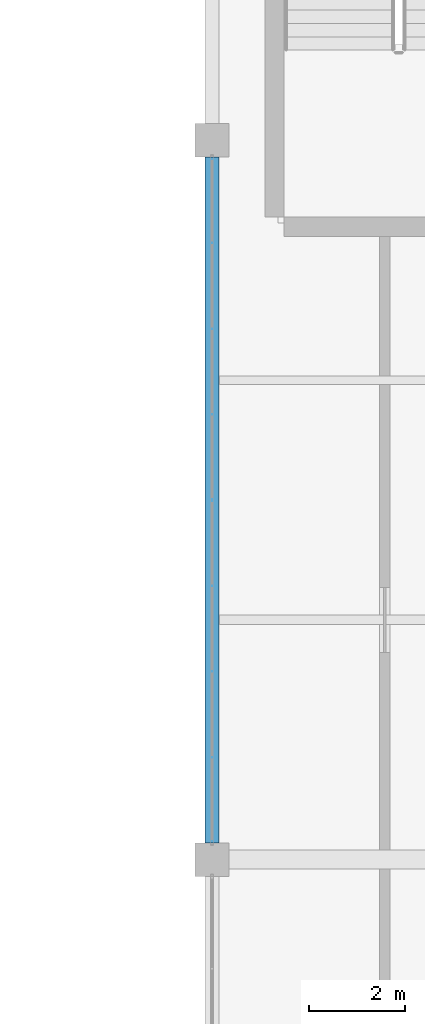
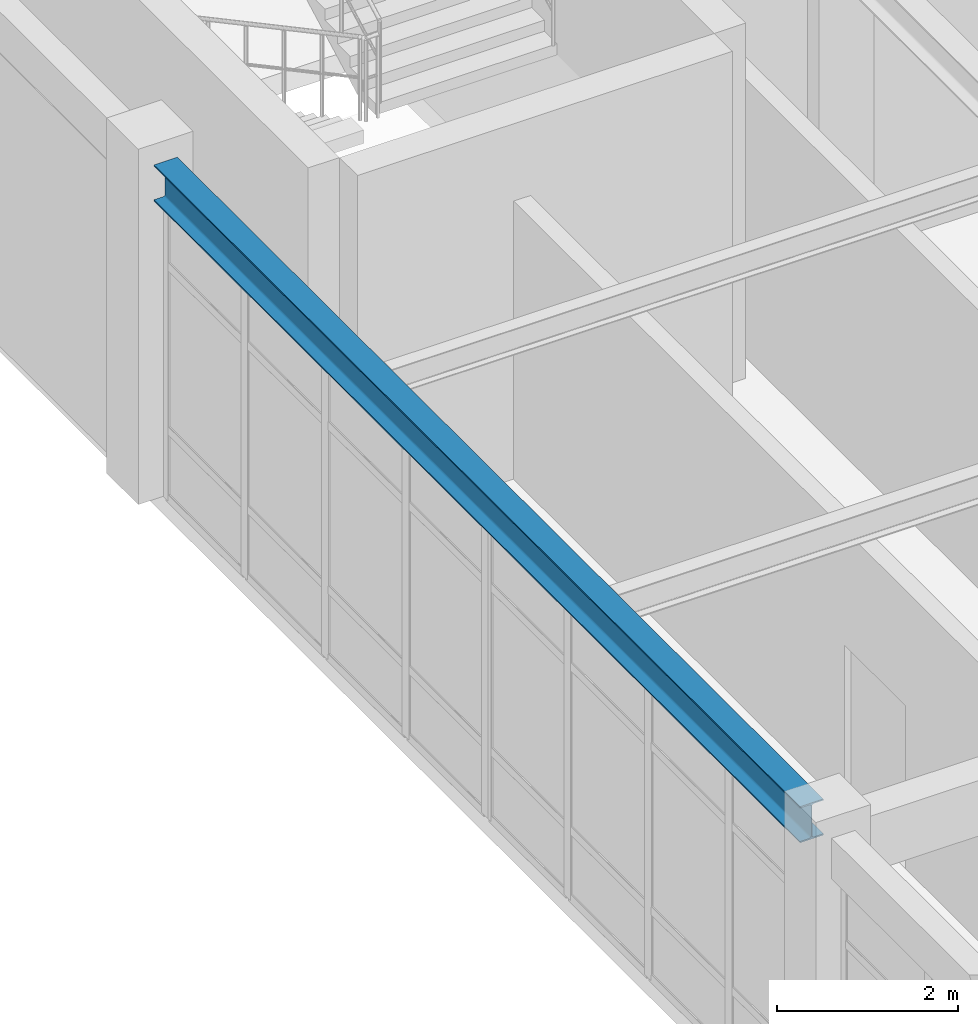
# One storey, part 16 of 76: 1 beam.
"""IFC4 building model written with IfcOpenShell, lengths in metres."""

import ifcopenshell
import ifcopenshell.guid

model = None  # the IFC model being written
_history = None  # IfcOwnerHistory: only IFC2X3 demands one
_inside = {}  # id of a spatial element -> (the spatial element, [elements in it])
_under = {}  # id of a project, library or spatial element -> (it, [spatial elements below it])
_declared = {}  # id of a project -> (the project, [libraries it declares])
_typed = {}  # id of a type object -> (the type object, [elements of that type])
_made_of = {}  # id of a material, layer set ... -> (it, [elements and type objects made of it])


def new_model(schema):
    """Start an empty IFC model of exactly this schema.

    Asked for "IFC4X3", IfcOpenShell would pick the latest addendum, in which some entities
    have other attributes; the version numbers below select the first issue.
    IFC2X3 requires an IfcOwnerHistory on every rooted entity: one is made here for all.
    """
    global model, _history
    if schema == "IFC4X3":
        model = ifcopenshell.file(schema_version=(4, 3, 0, 0))
    else:
        model = ifcopenshell.file(schema=schema)
    _inside.clear()
    _under.clear()
    _declared.clear()
    _typed.clear()
    _made_of.clear()
    _history = None
    if model.schema == "IFC2X3":
        org = make("IfcOrganization", Name="unknown")
        user = make(
            "IfcPersonAndOrganization",
            ThePerson=make("IfcPerson", FamilyName="unknown"),
            TheOrganization=org,
        )
        app = make(
            "IfcApplication",
            ApplicationDeveloper=org,
            Version="unknown",
            ApplicationFullName="unknown",
            ApplicationIdentifier="unknown",
        )
        _history = make(
            "IfcOwnerHistory",
            OwningUser=user,
            OwningApplication=app,
            ChangeAction="ADDED",
            CreationDate=0,
        )
    return model


def make(cls, **values):
    """One entity of the class cls with the attributes given. An attribute that is None is left unset."""
    return model.create_entity(
        cls, **{name: value for name, value in values.items() if value is not None}
    )


def rooted(cls, **values):
    """An entity with a GlobalId (a new one), such as an element, a storey or a relation."""
    return make(cls, GlobalId=ifcopenshell.guid.new(), OwnerHistory=_history, **values)


def si_unit(unit_type, name, prefix=None):
    """IfcSIUnit, for example si_unit("LENGTHUNIT", "METRE", prefix="MILLI")."""
    return make("IfcSIUnit", UnitType=unit_type, Prefix=prefix, Name=name)


def derived_unit(unit_type, elements):
    """IfcDerivedUnit: a product of units, each with its exponent."""
    return make(
        "IfcDerivedUnit",
        Elements=[
            make("IfcDerivedUnitElement", Unit=unit, Exponent=power)
            for unit, power in elements
        ],
        UnitType=unit_type,
    )


def assignment(units):
    """IfcUnitAssignment: the units of a project."""
    return None if units is None else make("IfcUnitAssignment", Units=units)


def point(xyz):
    """IfcCartesianPoint."""
    return None if xyz is None else make("IfcCartesianPoint", Coordinates=xyz)


def direction(xyz):
    """IfcDirection."""
    return None if xyz is None else make("IfcDirection", DirectionRatios=xyz)


def frame(location, z_axis=None, x_axis=None):
    """IfcAxis2Placement3D, a coordinate frame: its origin and axes. An axis left out is left unset."""
    return make(
        "IfcAxis2Placement3D",
        Location=point(location),
        Axis=direction(z_axis),
        RefDirection=direction(x_axis),
    )


def frame_2d(location, x_axis=None):
    """IfcAxis2Placement2D, a coordinate frame in the plane: its origin and x axis."""
    return make(
        "IfcAxis2Placement2D", Location=point(location), RefDirection=direction(x_axis)
    )


def origin():
    """The frame at (0, 0, 0) with its axes left unset."""
    return frame((0.0, 0.0, 0.0))


def origin_2d():
    """The frame at (0, 0) in the plane with its x axis left unset."""
    return frame_2d((0.0, 0.0))


def place(relative_to, where):
    """IfcLocalPlacement: puts the frame where relative to a parent placement (None: the world)."""
    return make(
        "IfcLocalPlacement", PlacementRelTo=relative_to, RelativePlacement=where
    )


def context(
    kind, dimensions, precision=None, world=None, true_north=None, identifier=None
):
    """IfcGeometricRepresentationContext, for example the 3D "Model" context."""
    return make(
        "IfcGeometricRepresentationContext",
        ContextIdentifier=identifier,
        ContextType=kind,
        CoordinateSpaceDimension=dimensions,
        Precision=precision,
        WorldCoordinateSystem=world,
        TrueNorth=true_north,
    )


def subcontext(parent, identifier, kind, view, scale=None):
    """IfcGeometricRepresentationSubContext, for example "Body" below "Model"."""
    return make(
        "IfcGeometricRepresentationSubContext",
        ContextIdentifier=identifier,
        ContextType=kind,
        ParentContext=parent,
        TargetScale=scale,
        TargetView=view,
    )


def project(units=None, contexts=None):
    """IfcProject with its units and contexts."""
    return rooted(
        "IfcProject",
        Name="project",
        RepresentationContexts=contexts,
        UnitsInContext=assignment(units),
    )


def spatial(cls, under=None, at=None, **own):
    """A site, building, storey or space (cls), placed at a placement, below another one or the project."""
    s = rooted(cls, ObjectPlacement=at, **own)
    if under is not None:
        _under.setdefault(under.id(), (under, []))[1].append(s)
    return s


def profile(cls, at=None, kind="AREA", **sizes):
    """A parametric profile (cls). Its sizes go by their IFC names, for example OverallWidth=200.0."""
    return make(cls, ProfileType=kind, Position=at, **sizes)


def i_section(**sizes):
    """IfcIShapeProfileDef."""
    return profile("IfcIShapeProfileDef", **sizes)


def extrude(swept, where, along, depth):
    """IfcExtrudedAreaSolid: the profile swept, set in the frame where, extruded along a direction by depth."""
    return make(
        "IfcExtrudedAreaSolid",
        SweptArea=swept,
        Position=where,
        ExtrudedDirection=direction(along),
        Depth=depth,
    )


def shape(context_of_items, identifier, shape_type, items):
    """IfcShapeRepresentation: the items that make up one representation, for example the "Body"."""
    return make(
        "IfcShapeRepresentation",
        ContextOfItems=context_of_items,
        RepresentationIdentifier=identifier,
        RepresentationType=shape_type,
        Items=items,
    )


def material(Name=None, Category=None):
    """IfcMaterial."""
    return make("IfcMaterial", Name=Name, Category=Category)


def material_profile(
    of_material, cross_section, Name=None, Category=None, Priority=None
):
    """IfcMaterialProfile: a cross section and its material."""
    return make(
        "IfcMaterialProfile",
        Name=Name,
        Material=of_material,
        Profile=cross_section,
        Priority=Priority,
        Category=Category,
    )


def profile_set(profiles, Name=None, composite=None):
    """IfcMaterialProfileSet."""
    return make(
        "IfcMaterialProfileSet",
        Name=Name,
        MaterialProfiles=profiles,
        CompositeProfile=composite,
    )


def made_of(thing, what):
    """Note that an element or type object is made of a material, layer set ...; save() writes the relation."""
    if what is not None:
        _made_of.setdefault(what.id(), (what, []))[1].append(thing)
    return thing


def type_object(cls, material=None, **own):
    """A type object (cls), such as IfcWallType, which elements share."""
    return made_of(rooted(cls, **own), material)


def element(
    cls,
    number,
    at=None,
    inside=None,
    cuts=None,
    type_object=None,
    material=None,
    context=None,
    identifier="Body",
    shape_type=None,
    held_by="IfcProductDefinitionShape",
    body=None,
    shapes=None,
    **own,
):
    """One element of the class cls, such as IfcWall. Its Tag is "e" and its number.

    at: its placement. inside: the storey or other place that contains it. cuts: it is an
    opening in that element (IfcRelVoidsElement). A single representation is given by context,
    identifier, shape_type and body (its items); several are given by shapes. held_by: the class
    of the entity that holds the representations. save() writes the other relations.
    """
    e = rooted(cls, Tag="e%d" % number, ObjectPlacement=at, **own)
    if body is not None:
        shapes = [shape(context, identifier, shape_type, body)]
    if shapes is not None:
        e.Representation = make(held_by, Representations=shapes)
    if inside is not None:
        _inside.setdefault(inside.id(), (inside, []))[1].append(e)
    if cuts is not None:
        rooted(
            "IfcRelVoidsElement", RelatingBuildingElement=cuts, RelatedOpeningElement=e
        )
    if type_object is not None:
        _typed.setdefault(type_object.id(), (type_object, []))[1].append(e)
    return made_of(e, material)


def aggregate(whole, parts):
    """IfcRelAggregates: a whole, such as a stair, and the parts it consists of."""
    return rooted("IfcRelAggregates", RelatingObject=whole, RelatedObjects=parts)


def save(model, path):
    """Write the relations noted so far, then the file.

    IfcRelAggregates (storeys below a building ...), IfcRelContainedInSpatialStructure (elements
    in a storey), IfcRelDefinesByType, IfcRelAssociatesMaterial and IfcRelDeclares: one each for
    every whole, place, type object, material and project.
    """
    for whole, parts in _under.values():
        aggregate(whole, parts)
    for where, things in _inside.values():
        rooted(
            "IfcRelContainedInSpatialStructure",
            RelatedElements=things,
            RelatingStructure=where,
        )
    for kind, things in _typed.values():
        rooted("IfcRelDefinesByType", RelatedObjects=things, RelatingType=kind)
    for what, things in _made_of.values():
        rooted("IfcRelAssociatesMaterial", RelatedObjects=things, RelatingMaterial=what)
    for by, libraries in _declared.values():
        rooted("IfcRelDeclares", RelatingContext=by, RelatedDefinitions=libraries)
    model.write(path)


model = new_model("IFC4")

# Units and contexts
model_context = context("Model", 3, precision=1e-05, world=origin(), true_north=direction((0.0, 1.0)))
body_context = subcontext(model_context, "Body", "Model", "MODEL_VIEW")
ifc_project = project(units=[si_unit("LENGTHUNIT", "METRE"), si_unit("AREAUNIT", "SQUARE_METRE"), si_unit("VOLUMEUNIT", "CUBIC_METRE"), si_unit("PLANEANGLEUNIT", "RADIAN"), si_unit("MASSUNIT", "GRAM", prefix="KILO"), derived_unit("THERMALTRANSMITTANCEUNIT", [(si_unit("MASSUNIT", "GRAM", prefix="KILO"), 1), (si_unit("TIMEUNIT", "SECOND"), -3), (si_unit("THERMODYNAMICTEMPERATUREUNIT", "KELVIN"), -1)])], contexts=[model_context])

# Site, building, storey
site_placement = place(None, origin())
site = spatial("IfcSite", under=ifc_project, at=site_placement, CompositionType="ELEMENT")
building_placement = place(site_placement, origin())
building = spatial("IfcBuilding", under=site, at=building_placement, Name="Qinzheling Arcade Emporium", CompositionType="ELEMENT")
storey_placement = place(building_placement, frame((0.0, 0.0, 26.699951171875)))
storey = spatial("IfcBuildingStorey", under=building, at=storey_placement, Name="L06", CompositionType="ELEMENT", Elevation=26.699951171875)

# Beam
ifc_material = material(Name="Structural steel Q355B", Category="steel")
ifc_material_profile = material_profile(ifc_material, i_section(OverallWidth=0.300048828125, OverallDepth=0.488037109375, WebThickness=0.010986328125, FlangeThickness=0.01806640625, FilletRadius=0.02197265625, at=origin_2d()), Name="HM 488x300x11x18", Category="steel")
ifc_profile_set = profile_set([ifc_material_profile], Name="Structural steel Q355B")
beam_type = type_object("IfcBeamType", Name="Atrium Bridge Girder HM488 Q355B", PredefinedType="USERDEFINED", material=ifc_profile_set)
beam_placement = place(storey_placement, frame((34.800048828125, 50.75, 4.276123046875), z_axis=(0.0, 1.0, 0.0), x_axis=(-1.0, 0.0, 0.0)))
element("IfcBeam", 1, at=beam_placement, inside=storey, type_object=beam_type, Name="Beam BM-L06-Y-5-G", ObjectType="TRANSFER_GIRDER", PredefinedType="USERDEFINED", context=body_context, shape_type="SweptSolid", body=[
    extrude(i_section(OverallWidth=0.300048828125, OverallDepth=0.488037109375, WebThickness=0.010986328125, FlangeThickness=0.01806640625, FilletRadius=0.02197265625, at=origin_2d()), origin(), (0.0, 0.0, 1.0), 14.300048828125),
])

save(model, "model.ifc")
